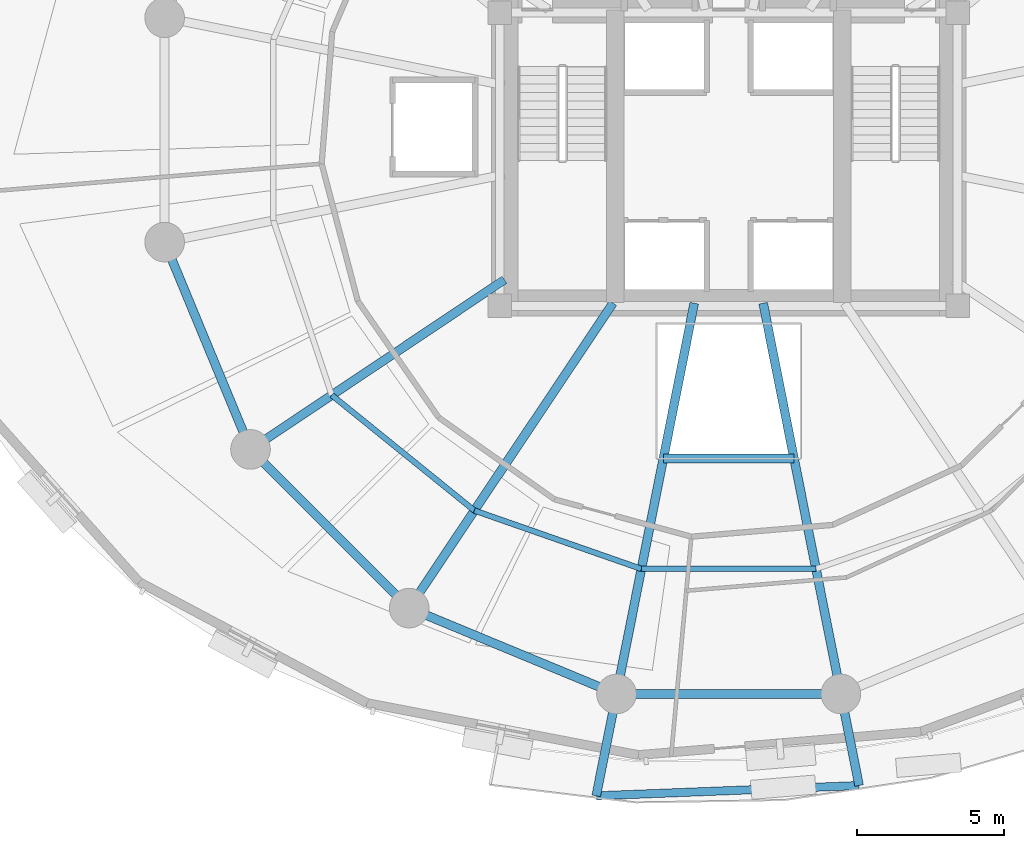
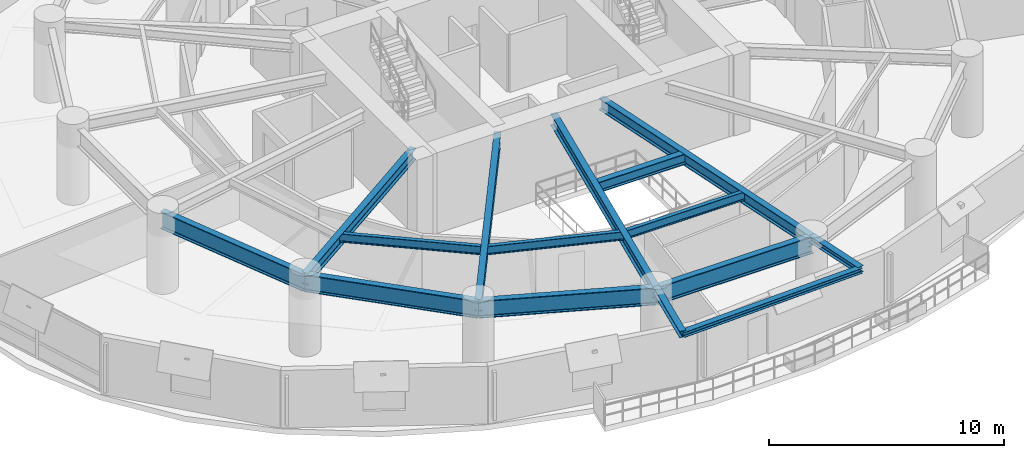
# One storey, part 3 of 16: 15 beams.
"""IFC4 building model written with IfcOpenShell, lengths in metres."""

from ifc_helpers import new_model, si_unit, direction, frame, origin, origin_2d, place, context, subcontext, project, spatial, i_section, extrude, material, material_profile, profile_set, type_object, element, save


model = new_model("IFC4")

# Units and contexts
model_context = context("Model", 3, precision=1e-05, world=origin(), true_north=direction((0.0, 1.0)))
body_context = subcontext(model_context, "Body", "Model", "MODEL_VIEW")
ifc_project = project(units=[si_unit("LENGTHUNIT", "METRE"), si_unit("AREAUNIT", "SQUARE_METRE"), si_unit("VOLUMEUNIT", "CUBIC_METRE"), si_unit("PLANEANGLEUNIT", "RADIAN"), si_unit("MASSUNIT", "GRAM", prefix="KILO"), si_unit("THERMODYNAMICTEMPERATUREUNIT", "KELVIN"), si_unit("POWERUNIT", "WATT")], contexts=[model_context])

# Site, building, storey
site_placement = place(None, origin())
site = spatial("IfcSite", under=ifc_project, at=site_placement, CompositionType="ELEMENT")
building_placement = place(site_placement, origin())
building = spatial("IfcBuilding", under=site, at=building_placement, Name="Ocrelia Relay Tower", CompositionType="ELEMENT")
storey_placement = place(building_placement, frame((0.0, 0.0, 51.0)))
storey = spatial("IfcBuildingStorey", under=building, at=storey_placement, Name="L11", CompositionType="ELEMENT", Elevation=51.0)

# Beams
ifc_material = material(Name="Steel S355", Category="steel")
ifc_material_profile_1 = material_profile(ifc_material, i_section(OverallWidth=0.280029296875, OverallDepth=0.27001953125, WebThickness=0.008056640625, FlangeThickness=0.012939453125, FilletRadius=0.02392578125, at=origin_2d()), Name="HEA 280")
ifc_profile_set_1 = profile_set([ifc_material_profile_1], Name="Steel S355")
beam_type_1 = type_object("IfcBeamType", Name="BM-HEA280", PredefinedType="BEAM", material=ifc_profile_set_1)
beam_1_placement = place(storey_placement, frame((29.48583984375, 3.3056640625, 3.784912109375), z_axis=(0.999236230609, 0.039076277175, 0.0), x_axis=(-0.039076277175, 0.999236230609, 0.0)))
element("IfcBeam", 1, at=beam_1_placement, inside=storey, type_object=beam_type_1, Name="L12 Balcony Edge Trimmer Beam B2", PredefinedType="BEAM", context=body_context, shape_type="SweptSolid", body=[
    extrude(i_section(OverallWidth=0.280029296875, OverallDepth=0.27001953125, WebThickness=0.008056640625, FlangeThickness=0.012939453125, FilletRadius=0.02392578125, at=origin_2d()), origin(), (0.0, 0.0, 1.0), 8.965576171875),
])
ifc_material_profile_2 = material_profile(ifc_material, i_section(OverallWidth=0.300048828125, OverallDepth=0.330078125, WebThickness=0.009521484375, FlangeThickness=0.0166015625, FilletRadius=0.027099609375, at=origin_2d()), Name="HEA 340")
ifc_profile_set_2 = profile_set([ifc_material_profile_2], Name="Steel S355")
beam_type_2 = type_object("IfcBeamType", Name="BM-HEA340", PredefinedType="BEAM", material=ifc_profile_set_2)
beam_2_placement = place(storey_placement, frame((30.17626953125, 6.776611328125, 3.7548828125), z_axis=(-0.195094494333, -0.980784450469, 0.0), x_axis=(0.980784450469, -0.195094494333, 0.0)))
element("IfcBeam", 2, at=beam_2_placement, inside=storey, type_object=beam_type_2, Name="L12 Balcony Cantilever Beam B2-1", PredefinedType="BEAM", context=body_context, shape_type="SweptSolid", body=[
    extrude(i_section(OverallWidth=0.300048828125, OverallDepth=0.330078125, WebThickness=0.009521484375, FlangeThickness=0.0166015625, FilletRadius=0.027099609375, at=origin_2d()), origin(), (0.0, 0.0, 1.0), 3.5390625),
])
beam_3_placement = place(storey_placement, frame((37.82373046875, 6.776611328125, 3.7548828125), z_axis=(0.195127383752, -0.980777907638, 0.0), x_axis=(0.980777907638, 0.195127383752, 0.0)))
element("IfcBeam", 3, at=beam_3_placement, inside=storey, type_object=beam_type_2, Name="L12 Balcony Cantilever Beam B2-2", PredefinedType="BEAM", context=body_context, shape_type="SweptSolid", body=[
    extrude(i_section(OverallWidth=0.300048828125, OverallDepth=0.330078125, WebThickness=0.009521484375, FlangeThickness=0.0166015625, FilletRadius=0.027099609375, at=origin_2d()), origin(), (0.0, 0.0, 1.0), 3.181884765625),
])
ifc_material_profile_3 = material_profile(ifc_material, i_section(OverallWidth=0.300048828125, OverallDepth=0.550048828125, WebThickness=0.014892578125, FlangeThickness=0.029052734375, FilletRadius=0.027099609375, at=origin_2d()), Name="HEB 550")
ifc_profile_set_3 = profile_set([ifc_material_profile_3], Name="Steel S355")
beam_type_3 = type_object("IfcBeamType", Name="BM-HEB550", PredefinedType="BEAM", material=ifc_profile_set_3)
beam_4_placement = place(storey_placement, frame((31.772216796875, 14.800048828125, 3.64501953125), z_axis=(1.0, 0.0, 0.0), x_axis=(0.0, 1.0, 0.0)))
element("IfcBeam", 4, at=beam_4_placement, inside=storey, type_object=beam_type_3, Name="L11 Atrium South Trimmer Beam", PredefinedType="BEAM", context=body_context, shape_type="SweptSolid", body=[
    extrude(i_section(OverallWidth=0.300048828125, OverallDepth=0.550048828125, WebThickness=0.014892578125, FlangeThickness=0.029052734375, FilletRadius=0.027099609375, at=origin_2d()), origin(), (0.0, 0.0, 1.0), 4.45556640625),
])
ifc_material_profile_4 = material_profile(ifc_material, i_section(OverallWidth=0.300048828125, OverallDepth=0.60009765625, WebThickness=0.015380859375, FlangeThickness=0.030029296875, FilletRadius=0.027099609375, at=origin_2d()), Name="HEB 600")
ifc_profile_set_4 = profile_set([ifc_material_profile_4], Name="Steel S355")
beam_type_4 = type_object("IfcBeamType", Name="BM-HEB600", PredefinedType="BEAM", material=ifc_profile_set_4)
beam_5_placement = place(storey_placement, frame((17.703125, 15.11083984375, 3.6201171875), z_axis=(0.83146868639, 0.555571618743, 0.0), x_axis=(-0.555571618743, 0.83146868639, 0.0)))
element("IfcBeam", 5, at=beam_5_placement, inside=storey, type_object=beam_type_4, Name="L11 Radial Floor Girder R10", PredefinedType="BEAM", context=body_context, shape_type="SweptSolid", body=[
    extrude(i_section(OverallWidth=0.300048828125, OverallDepth=0.60009765625, WebThickness=0.015380859375, FlangeThickness=0.030029296875, FilletRadius=0.027099609375, at=origin_2d()), origin(), (0.0, 0.0, 1.0), 10.405517578125),
])
beam_6_placement = place(storey_placement, frame((23.11083984375, 9.703125, 3.6201171875), z_axis=(0.555569912646, 0.831469826369, 0.0), x_axis=(-0.831469826369, 0.555569912646, 0.0)))
element("IfcBeam", 6, at=beam_6_placement, inside=storey, type_object=beam_type_4, Name="L11 Radial Floor Girder R11", PredefinedType="BEAM", context=body_context, shape_type="SweptSolid", body=[
    extrude(i_section(OverallWidth=0.300048828125, OverallDepth=0.60009765625, WebThickness=0.015380859375, FlangeThickness=0.030029296875, FilletRadius=0.027099609375, at=origin_2d()), origin(), (0.0, 0.0, 1.0), 12.498046875),
])
for number, where, z_axis, x_axis, name in (
    (7, (30.17626953125, 6.776611328125, 3.6201171875), (0.195089155229, 0.980785512491, 0.0), (-0.980785512491, 0.195089155229, 0.0), "L11 Radial Floor Girder R12"),
    (8, (37.82373046875, 6.776611328125, 3.6201171875), (-0.195089155229, 0.980785512491, 0.0), (-0.980785512491, -0.195089155229, 0.0), "L11 Radial Floor Girder R13"),
):
    element("IfcBeam", number, at=place(storey_placement, frame(where, z_axis=z_axis, x_axis=x_axis)), inside=storey, type_object=beam_type_4, Name=name, PredefinedType="BEAM", context=body_context, shape_type="SweptSolid", body=[
        extrude(i_section(OverallWidth=0.300048828125, OverallDepth=0.60009765625, WebThickness=0.015380859375, FlangeThickness=0.030029296875, FilletRadius=0.027099609375, at=origin_2d()), origin(), (0.0, 0.0, 1.0), 13.579345703125),
    ])
ifc_material_profile_5 = material_profile(ifc_material, i_section(OverallWidth=0.300048828125, OverallDepth=0.89990234375, WebThickness=0.0185546875, FlangeThickness=0.034912109375, FilletRadius=0.030029296875, at=origin_2d()), Name="HEB 900")
ifc_profile_set_5 = profile_set([ifc_material_profile_5], Name="Steel S355")
beam_type_5 = type_object("IfcBeamType", Name="BM-HEB900", PredefinedType="BEAM", material=ifc_profile_set_5)
beam_7_placement = place(storey_placement, frame((14.776611328125, 22.17626953125, 3.469970703125), z_axis=(0.382674154222, -0.923883375589, 0.0), x_axis=(0.923883375589, 0.382674154222, 0.0)))
element("IfcBeam", 9, at=beam_7_placement, inside=storey, type_object=beam_type_5, Name="L11 Perimeter Spandrel Beam S09", PredefinedType="BEAM", context=body_context, shape_type="SweptSolid", body=[
    extrude(i_section(OverallWidth=0.300048828125, OverallDepth=0.89990234375, WebThickness=0.0185546875, FlangeThickness=0.034912109375, FilletRadius=0.030029296875, at=origin_2d()), origin(), (0.0, 0.0, 1.0), 7.6474609375),
])
beam_8_placement = place(storey_placement, frame((17.703125, 15.11083984375, 3.469970703125), z_axis=(0.707106781187, -0.707106781187, 0.0), x_axis=(0.707106781187, 0.707106781187, 0.0)))
element("IfcBeam", 10, at=beam_8_placement, inside=storey, type_object=beam_type_5, Name="L11 Perimeter Spandrel Beam S10", PredefinedType="BEAM", context=body_context, shape_type="SweptSolid", body=[
    extrude(i_section(OverallWidth=0.300048828125, OverallDepth=0.89990234375, WebThickness=0.0185546875, FlangeThickness=0.034912109375, FilletRadius=0.030029296875, at=origin_2d()), origin(), (0.0, 0.0, 1.0), 7.647705078125),
])
for number, where, z_axis, x_axis, name in (
    (11, (23.11083984375, 9.703125, 3.469970703125), (0.923883375589, -0.382674154222, 0.0), (0.382674154222, 0.923883375589, 0.0), "L11 Perimeter Spandrel Beam S11"),
    (12, (30.17626953125, 6.776611328125, 3.469970703125), (1.0, 0.0, 0.0), (0.0, 1.0, 0.0), "L11 Perimeter Spandrel Beam S12"),
):
    element("IfcBeam", number, at=place(storey_placement, frame(where, z_axis=z_axis, x_axis=x_axis)), inside=storey, type_object=beam_type_5, Name=name, PredefinedType="BEAM", context=body_context, shape_type="SweptSolid", body=[
        extrude(i_section(OverallWidth=0.300048828125, OverallDepth=0.89990234375, WebThickness=0.0185546875, FlangeThickness=0.034912109375, FilletRadius=0.030029296875, at=origin_2d()), origin(), (0.0, 0.0, 1.0), 7.6474609375),
    ])
ifc_material_profile_6 = material_profile(ifc_material, i_section(OverallWidth=0.18994140625, OverallDepth=0.449951171875, WebThickness=0.009521484375, FlangeThickness=0.0146484375, FilletRadius=0.02099609375, at=origin_2d()), Name="IPE 450")
ifc_profile_set_6 = profile_set([ifc_material_profile_6], Name="Steel S355")
beam_type_6 = type_object("IfcBeamType", Name="BM-IPE450", PredefinedType="JOIST", material=ifc_profile_set_6)
beam_9_placement = place(storey_placement, frame((20.4716796875, 16.960693359375, 3.695068359375), z_axis=(0.77748215158, -0.628905003935, 0.0), x_axis=(0.628905003935, 0.77748215158, 0.0)))
element("IfcBeam", 13, at=beam_9_placement, inside=storey, type_object=beam_type_6, Name="L11 Secondary Floor Joist J10", PredefinedType="JOIST", context=body_context, shape_type="SweptSolid", body=[
    extrude(i_section(OverallWidth=0.18994140625, OverallDepth=0.449951171875, WebThickness=0.009521484375, FlangeThickness=0.0146484375, FilletRadius=0.02099609375, at=origin_2d()), origin(), (0.0, 0.0, 1.0), 6.25244140625),
])
beam_10_placement = place(storey_placement, frame((25.332763671875, 13.028564453125, 3.695068359375), z_axis=(0.943957429675, -0.330067221882, 0.0), x_axis=(0.330067221882, 0.943957429675, 0.0)))
element("IfcBeam", 14, at=beam_10_placement, inside=storey, type_object=beam_type_6, Name="L11 Secondary Floor Joist J11", PredefinedType="JOIST", context=body_context, shape_type="SweptSolid", body=[
    extrude(i_section(OverallWidth=0.18994140625, OverallDepth=0.449951171875, WebThickness=0.009521484375, FlangeThickness=0.0146484375, FilletRadius=0.02099609375, at=origin_2d()), origin(), (0.0, 0.0, 1.0), 6.029052734375),
])
beam_11_placement = place(storey_placement, frame((31.02392578125, 11.03857421875, 3.695068359375), z_axis=(1.0, 0.0, 0.0), x_axis=(0.0, 1.0, 0.0)))
element("IfcBeam", 15, at=beam_11_placement, inside=storey, type_object=beam_type_6, Name="L11 Secondary Floor Joist J12", PredefinedType="JOIST", context=body_context, shape_type="SweptSolid", body=[
    extrude(i_section(OverallWidth=0.18994140625, OverallDepth=0.449951171875, WebThickness=0.009521484375, FlangeThickness=0.0146484375, FilletRadius=0.02099609375, at=origin_2d()), origin(), (0.0, 0.0, 1.0), 5.9521484375),
])

save(model, "model.ifc")
